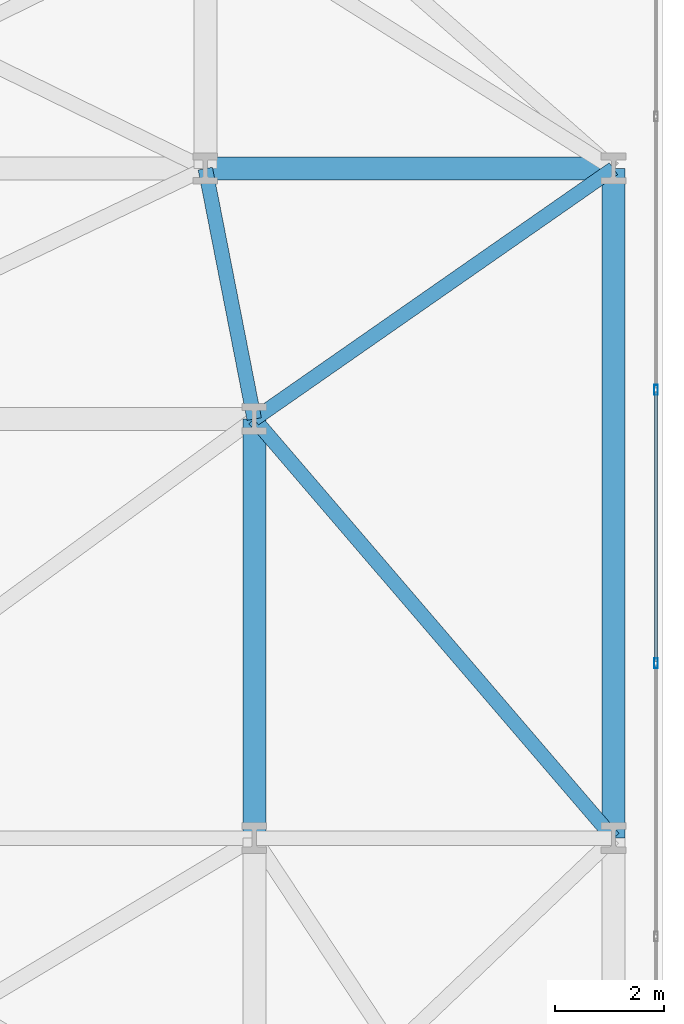
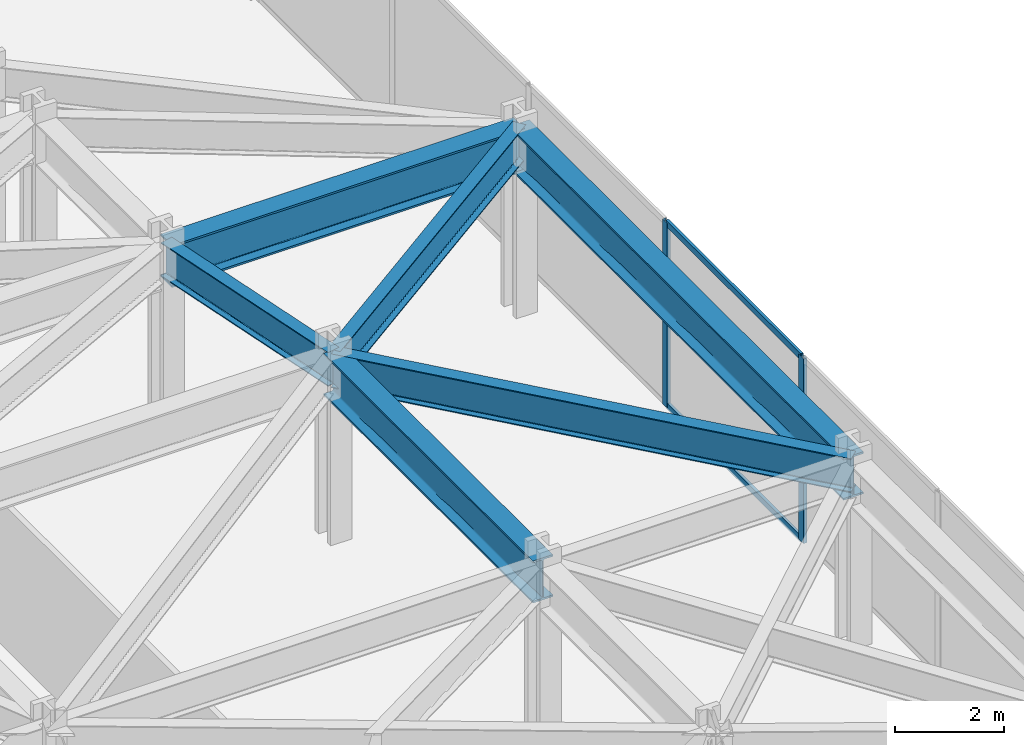
# One storey, part 23 of 30: 6 beams, 4 members, 1 element without a shape of its own.
"""IFC4 building model written with IfcOpenShell, lengths in metres."""

import ifcopenshell
import ifcopenshell.guid

model = None  # the IFC model being written
_history = None  # IfcOwnerHistory: only IFC2X3 demands one
_inside = {}  # id of a spatial element -> (the spatial element, [elements in it])
_under = {}  # id of a project, library or spatial element -> (it, [spatial elements below it])
_declared = {}  # id of a project -> (the project, [libraries it declares])
_typed = {}  # id of a type object -> (the type object, [elements of that type])
_made_of = {}  # id of a material, layer set ... -> (it, [elements and type objects made of it])


def new_model(schema):
    """Start an empty IFC model of exactly this schema.

    Asked for "IFC4X3", IfcOpenShell would pick the latest addendum, in which some entities
    have other attributes; the version numbers below select the first issue.
    IFC2X3 requires an IfcOwnerHistory on every rooted entity: one is made here for all.
    """
    global model, _history
    if schema == "IFC4X3":
        model = ifcopenshell.file(schema_version=(4, 3, 0, 0))
    else:
        model = ifcopenshell.file(schema=schema)
    _inside.clear()
    _under.clear()
    _declared.clear()
    _typed.clear()
    _made_of.clear()
    _history = None
    if model.schema == "IFC2X3":
        org = make("IfcOrganization", Name="unknown")
        user = make(
            "IfcPersonAndOrganization",
            ThePerson=make("IfcPerson", FamilyName="unknown"),
            TheOrganization=org,
        )
        app = make(
            "IfcApplication",
            ApplicationDeveloper=org,
            Version="unknown",
            ApplicationFullName="unknown",
            ApplicationIdentifier="unknown",
        )
        _history = make(
            "IfcOwnerHistory",
            OwningUser=user,
            OwningApplication=app,
            ChangeAction="ADDED",
            CreationDate=0,
        )
    return model


def make(cls, **values):
    """One entity of the class cls with the attributes given. An attribute that is None is left unset."""
    return model.create_entity(
        cls, **{name: value for name, value in values.items() if value is not None}
    )


def rooted(cls, **values):
    """An entity with a GlobalId (a new one), such as an element, a storey or a relation."""
    return make(cls, GlobalId=ifcopenshell.guid.new(), OwnerHistory=_history, **values)


def si_unit(unit_type, name, prefix=None):
    """IfcSIUnit, for example si_unit("LENGTHUNIT", "METRE", prefix="MILLI")."""
    return make("IfcSIUnit", UnitType=unit_type, Prefix=prefix, Name=name)


def assignment(units):
    """IfcUnitAssignment: the units of a project."""
    return None if units is None else make("IfcUnitAssignment", Units=units)


def point(xyz):
    """IfcCartesianPoint."""
    return None if xyz is None else make("IfcCartesianPoint", Coordinates=xyz)


def direction(xyz):
    """IfcDirection."""
    return None if xyz is None else make("IfcDirection", DirectionRatios=xyz)


def frame(location, z_axis=None, x_axis=None):
    """IfcAxis2Placement3D, a coordinate frame: its origin and axes. An axis left out is left unset."""
    return make(
        "IfcAxis2Placement3D",
        Location=point(location),
        Axis=direction(z_axis),
        RefDirection=direction(x_axis),
    )


def frame_2d(location, x_axis=None):
    """IfcAxis2Placement2D, a coordinate frame in the plane: its origin and x axis."""
    return make(
        "IfcAxis2Placement2D", Location=point(location), RefDirection=direction(x_axis)
    )


def origin():
    """The frame at (0, 0, 0) with its axes left unset."""
    return frame((0.0, 0.0, 0.0))


def origin_2d():
    """The frame at (0, 0) in the plane with its x axis left unset."""
    return frame_2d((0.0, 0.0))


def place(relative_to, where):
    """IfcLocalPlacement: puts the frame where relative to a parent placement (None: the world)."""
    return make(
        "IfcLocalPlacement", PlacementRelTo=relative_to, RelativePlacement=where
    )


def context(
    kind, dimensions, precision=None, world=None, true_north=None, identifier=None
):
    """IfcGeometricRepresentationContext, for example the 3D "Model" context."""
    return make(
        "IfcGeometricRepresentationContext",
        ContextIdentifier=identifier,
        ContextType=kind,
        CoordinateSpaceDimension=dimensions,
        Precision=precision,
        WorldCoordinateSystem=world,
        TrueNorth=true_north,
    )


def subcontext(parent, identifier, kind, view, scale=None):
    """IfcGeometricRepresentationSubContext, for example "Body" below "Model"."""
    return make(
        "IfcGeometricRepresentationSubContext",
        ContextIdentifier=identifier,
        ContextType=kind,
        ParentContext=parent,
        TargetScale=scale,
        TargetView=view,
    )


def project(units=None, contexts=None):
    """IfcProject with its units and contexts."""
    return rooted(
        "IfcProject",
        Name="project",
        RepresentationContexts=contexts,
        UnitsInContext=assignment(units),
    )


def spatial(cls, under=None, at=None, **own):
    """A site, building, storey or space (cls), placed at a placement, below another one or the project."""
    s = rooted(cls, ObjectPlacement=at, **own)
    if under is not None:
        _under.setdefault(under.id(), (under, []))[1].append(s)
    return s


def profile(cls, at=None, kind="AREA", **sizes):
    """A parametric profile (cls). Its sizes go by their IFC names, for example OverallWidth=200.0."""
    return make(cls, ProfileType=kind, Position=at, **sizes)


def hollow_rectangle(**sizes):
    """IfcRectangleHollowProfileDef."""
    return profile("IfcRectangleHollowProfileDef", **sizes)


def i_section(**sizes):
    """IfcIShapeProfileDef."""
    return profile("IfcIShapeProfileDef", **sizes)


def extrude(swept, where, along, depth):
    """IfcExtrudedAreaSolid: the profile swept, set in the frame where, extruded along a direction by depth."""
    return make(
        "IfcExtrudedAreaSolid",
        SweptArea=swept,
        Position=where,
        ExtrudedDirection=direction(along),
        Depth=depth,
    )


def shape(context_of_items, identifier, shape_type, items):
    """IfcShapeRepresentation: the items that make up one representation, for example the "Body"."""
    return make(
        "IfcShapeRepresentation",
        ContextOfItems=context_of_items,
        RepresentationIdentifier=identifier,
        RepresentationType=shape_type,
        Items=items,
    )


def material(Name=None, Category=None):
    """IfcMaterial."""
    return make("IfcMaterial", Name=Name, Category=Category)


def layer(
    of_material, thickness, ventilated=None, Name=None, Category=None, Priority=None
):
    """IfcMaterialLayer: one layer of a wall or slab, of a material (None: an air gap)."""
    return make(
        "IfcMaterialLayer",
        Material=of_material,
        LayerThickness=thickness,
        IsVentilated=ventilated,
        Name=Name,
        Category=Category,
        Priority=Priority,
    )


def layer_set(layers, Name=None):
    """IfcMaterialLayerSet."""
    return make("IfcMaterialLayerSet", MaterialLayers=layers, LayerSetName=Name)


def material_profile(
    of_material, cross_section, Name=None, Category=None, Priority=None
):
    """IfcMaterialProfile: a cross section and its material."""
    return make(
        "IfcMaterialProfile",
        Name=Name,
        Material=of_material,
        Profile=cross_section,
        Priority=Priority,
        Category=Category,
    )


def profile_set(profiles, Name=None, composite=None):
    """IfcMaterialProfileSet."""
    return make(
        "IfcMaterialProfileSet",
        Name=Name,
        MaterialProfiles=profiles,
        CompositeProfile=composite,
    )


def made_of(thing, what):
    """Note that an element or type object is made of a material, layer set ...; save() writes the relation."""
    if what is not None:
        _made_of.setdefault(what.id(), (what, []))[1].append(thing)
    return thing


def type_object(cls, material=None, **own):
    """A type object (cls), such as IfcWallType, which elements share."""
    return made_of(rooted(cls, **own), material)


def element(
    cls,
    number,
    at=None,
    inside=None,
    cuts=None,
    type_object=None,
    material=None,
    context=None,
    identifier="Body",
    shape_type=None,
    held_by="IfcProductDefinitionShape",
    body=None,
    shapes=None,
    **own,
):
    """One element of the class cls, such as IfcWall. Its Tag is "e" and its number.

    at: its placement. inside: the storey or other place that contains it. cuts: it is an
    opening in that element (IfcRelVoidsElement). A single representation is given by context,
    identifier, shape_type and body (its items); several are given by shapes. held_by: the class
    of the entity that holds the representations. save() writes the other relations.
    """
    e = rooted(cls, Tag="e%d" % number, ObjectPlacement=at, **own)
    if body is not None:
        shapes = [shape(context, identifier, shape_type, body)]
    if shapes is not None:
        e.Representation = make(held_by, Representations=shapes)
    if inside is not None:
        _inside.setdefault(inside.id(), (inside, []))[1].append(e)
    if cuts is not None:
        rooted(
            "IfcRelVoidsElement", RelatingBuildingElement=cuts, RelatedOpeningElement=e
        )
    if type_object is not None:
        _typed.setdefault(type_object.id(), (type_object, []))[1].append(e)
    return made_of(e, material)


def aggregate(whole, parts):
    """IfcRelAggregates: a whole, such as a stair, and the parts it consists of."""
    return rooted("IfcRelAggregates", RelatingObject=whole, RelatedObjects=parts)


def save(model, path):
    """Write the relations noted so far, then the file.

    IfcRelAggregates (storeys below a building ...), IfcRelContainedInSpatialStructure (elements
    in a storey), IfcRelDefinesByType, IfcRelAssociatesMaterial and IfcRelDeclares: one each for
    every whole, place, type object, material and project.
    """
    for whole, parts in _under.values():
        aggregate(whole, parts)
    for where, things in _inside.values():
        rooted(
            "IfcRelContainedInSpatialStructure",
            RelatedElements=things,
            RelatingStructure=where,
        )
    for kind, things in _typed.values():
        rooted("IfcRelDefinesByType", RelatedObjects=things, RelatingType=kind)
    for what, things in _made_of.values():
        rooted("IfcRelAssociatesMaterial", RelatedObjects=things, RelatingMaterial=what)
    for by, libraries in _declared.values():
        rooted("IfcRelDeclares", RelatingContext=by, RelatedDefinitions=libraries)
    model.write(path)


model = new_model("IFC4")

# Units and contexts
model_context = context("Model", 3, precision=1e-05, world=origin(), true_north=direction((0.0, 1.0)))
body_context = subcontext(model_context, "Body", "Model", "MODEL_VIEW")
ifc_project = project(units=[si_unit("LENGTHUNIT", "METRE"), si_unit("AREAUNIT", "SQUARE_METRE"), si_unit("VOLUMEUNIT", "CUBIC_METRE"), si_unit("PLANEANGLEUNIT", "RADIAN"), si_unit("MASSUNIT", "GRAM", prefix="KILO")], contexts=[model_context])

# Site, building, storey
site_placement = place(None, origin())
site = spatial("IfcSite", under=ifc_project, at=site_placement, CompositionType="ELEMENT")
building_placement = place(site_placement, origin())
building = spatial("IfcBuilding", under=site, at=building_placement, Name="Kravanh Interchange Tower", CompositionType="ELEMENT")
storey_placement = place(building_placement, frame((0.0, 0.0, 19.800048828125)))
storey = spatial("IfcBuildingStorey", under=building, at=storey_placement, Name="L04", CompositionType="ELEMENT", Elevation=19.800048828125)

# Curtain wall, members
ifc_material_1 = material(Name="Anodised Bronze Aluminium", Category="aluminium")
ifc_layer = layer(ifc_material_1, 0.179931640625)
ifc_layer_set = layer_set([ifc_layer], Name="Unitised Curtain Wall System CW-POD Podium Concourse")
curtain_wall_type = type_object("IfcCurtainWallType", Name="Unitised Curtain Wall System CW-POD Podium Concourse", PredefinedType="NOTDEFINED", material=ifc_layer_set)
curtain_wall_placement = place(storey_placement, origin())
curtain_wall = element("IfcCurtainWall", 1, at=curtain_wall_placement, inside=storey, type_object=curtain_wall_type, Name="L04 Unitised Curtain Wall CW-L04-02", PredefinedType="NOTDEFINED")
ifc_material_2 = material(Name="Anodised Bronze Aluminium", Category="aluminium")
ifc_material_profile_1 = material_profile(ifc_material_2, hollow_rectangle(XDim=0.070068359375, YDim=0.179931640625, WallThickness=0.00390625, at=origin_2d()), Name="ALU70X180X4")
ifc_profile_set_1 = profile_set([ifc_material_profile_1], Name="Anodised Bronze Aluminium")
member_type_1 = type_object("IfcMemberType", Name="Curtain Wall Mullion ALU70X180X4 Bronze", PredefinedType="MULLION", material=ifc_profile_set_1)
member_1_placement = place(storey_placement, frame((73.8798828125, 22.735595703125, 0.0), z_axis=(0.0, 0.0, 1.0), x_axis=(1.0, 0.0, 0.0)))
member_1 = element("IfcMember", 2, at=member_1_placement, type_object=member_type_1, Name="CW-POD mullion 4", PredefinedType="MULLION", context=body_context, shape_type="SweptSolid", body=[
    extrude(hollow_rectangle(XDim=0.070068359375, YDim=0.179931640625, WallThickness=0.00390625, at=origin_2d()), origin(), (0.0, 0.0, 1.0), 4.14990234375),
])
member_2_placement = place(storey_placement, frame((73.8798828125, 17.714111328125, 0.0), z_axis=(0.0, 0.0, 1.0), x_axis=(1.0, 0.0, 0.0)))
member_2 = element("IfcMember", 3, at=member_2_placement, type_object=member_type_1, Name="CW-POD mullion 5", PredefinedType="MULLION", context=body_context, shape_type="SweptSolid", body=[
    extrude(hollow_rectangle(XDim=0.070068359375, YDim=0.179931640625, WallThickness=0.00390625, at=origin_2d()), origin(), (0.0, 0.0, 1.0), 4.14990234375),
])
ifc_material_3 = material(Name="Anodised Bronze Aluminium", Category="aluminium")
ifc_material_profile_2 = material_profile(ifc_material_3, hollow_rectangle(XDim=0.06005859375, YDim=0.139892578125, WallThickness=0.00390625, at=origin_2d()), Name="ALU60X140X4")
ifc_profile_set_2 = profile_set([ifc_material_profile_2], Name="Anodised Bronze Aluminium")
member_type_2 = type_object("IfcMemberType", Name="Curtain Wall Transom ALU60X140X4 Bronze", PredefinedType="USERDEFINED", material=ifc_profile_set_2)
member_3_placement = place(storey_placement, frame((73.8798828125, 22.70068359375, 0.030029296875), z_axis=(0.0, -1.0, 0.0), x_axis=(1.0, 0.0, 0.0)))
member_3 = element("IfcMember", 4, at=member_3_placement, type_object=member_type_2, Name="CW-POD transom 4.1", ObjectType="TRANSOM", PredefinedType="USERDEFINED", context=body_context, shape_type="SweptSolid", body=[
    extrude(hollow_rectangle(XDim=0.06005859375, YDim=0.139892578125, WallThickness=0.00390625, at=origin_2d()), origin(), (0.0, 0.0, 1.0), 4.95166015625),
])
member_4_placement = place(storey_placement, frame((73.8798828125, 22.70068359375, 4.119873046875), z_axis=(0.0, -1.0, 0.0), x_axis=(1.0, 0.0, 0.0)))
member_4 = element("IfcMember", 5, at=member_4_placement, type_object=member_type_2, Name="CW-POD transom 4.2", ObjectType="TRANSOM", PredefinedType="USERDEFINED", context=body_context, shape_type="SweptSolid", body=[
    extrude(hollow_rectangle(XDim=0.06005859375, YDim=0.139892578125, WallThickness=0.00390625, at=origin_2d()), origin(), (0.0, 0.0, 1.0), 4.95166015625),
])
aggregate(curtain_wall, [member_1, member_2, member_3, member_4])

# Beams
ifc_material_4 = material(Name="Structural Steel S450", Category="steel")
ifc_material_profile_3 = material_profile(ifc_material_4, i_section(OverallWidth=0.423095703125, OverallDepth=0.947998046875, WebThickness=0.02392578125, FlangeThickness=0.042724609375, FilletRadius=0.028076171875, at=origin_2d()), Name="W36X302")
ifc_profile_set_3 = profile_set([ifc_material_profile_3], Name="Structural Steel S450")
beam_type_1 = type_object("IfcBeamType", Name="Floor Beam W36X302 Structural Steel S450", PredefinedType="BEAM", material=ifc_profile_set_3)
beam_1_placement = place(storey_placement, frame((66.5, 14.5, 3.676025390625), z_axis=(0.0, 1.0, 0.0), x_axis=(-1.0, 0.0, 0.0)))
element("IfcBeam", 6, at=beam_1_placement, inside=storey, type_object=beam_type_1, Name="L04 Primary Floor Girder 54", PredefinedType="BEAM", context=body_context, shape_type="SweptSolid", body=[
    extrude(i_section(OverallWidth=0.423095703125, OverallDepth=0.947998046875, WebThickness=0.02392578125, FlangeThickness=0.042724609375, FilletRadius=0.028076171875, at=origin_2d()), origin(), (0.0, 0.0, 1.0), 7.699951171875),
])
beam_2_placement = place(storey_placement, frame((65.60009765625, 26.800048828125, 3.676025390625), z_axis=(1.0, 0.0, 0.0), x_axis=(0.0, 1.0, 0.0)))
element("IfcBeam", 7, at=beam_2_placement, inside=storey, type_object=beam_type_1, Name="L04 Primary Floor Girder 102", PredefinedType="BEAM", context=body_context, shape_type="SweptSolid", body=[
    extrude(i_section(OverallWidth=0.423095703125, OverallDepth=0.947998046875, WebThickness=0.02392578125, FlangeThickness=0.042724609375, FilletRadius=0.028076171875, at=origin_2d()), origin(), (0.0, 0.0, 1.0), 7.5),
])
beam_3_placement = place(storey_placement, frame((73.10009765625, 14.5, 3.676025390625), z_axis=(0.0, 1.0, 0.0), x_axis=(-1.0, 0.0, 0.0)))
element("IfcBeam", 8, at=beam_3_placement, inside=storey, type_object=beam_type_1, Name="L04 Primary Floor Girder 128", PredefinedType="BEAM", context=body_context, shape_type="SweptSolid", body=[
    extrude(i_section(OverallWidth=0.423095703125, OverallDepth=0.947998046875, WebThickness=0.02392578125, FlangeThickness=0.042724609375, FilletRadius=0.028076171875, at=origin_2d()), origin(), (0.0, 0.0, 1.0), 12.300048828125),
])
ifc_material_5 = material(Name="Structural Steel S355", Category="steel")
ifc_material_profile_4 = material_profile(ifc_material_5, i_section(OverallWidth=0.26708984375, OverallDepth=0.761962890625, WebThickness=0.014404296875, FlangeThickness=0.021484375, FilletRadius=0.02490234375, at=origin_2d()), Name="W30X116")
ifc_profile_set_4 = profile_set([ifc_material_profile_4], Name="Structural Steel S355")
beam_type_2 = type_object("IfcBeamType", Name="Floor Spandrel W30X116 Structural Steel S355", PredefinedType="SPANDREL", material=ifc_profile_set_4)
beam_4_placement = place(storey_placement, frame((66.5, 22.199951171875, 3.76904296875), z_axis=(-0.191987614224, 0.981397348674, 0.0), x_axis=(-0.981397348674, -0.191987614224, 0.0)))
element("IfcBeam", 9, at=beam_4_placement, inside=storey, type_object=beam_type_2, Name="L04 Perimeter Spandrel 69", PredefinedType="SPANDREL", context=body_context, shape_type="SweptSolid", body=[
    extrude(i_section(OverallWidth=0.26708984375, OverallDepth=0.761962890625, WebThickness=0.014404296875, FlangeThickness=0.021484375, FilletRadius=0.02490234375, at=origin_2d()), origin(), (0.0, 0.0, 1.0), 4.687255859375),
])
beam_5_placement = place(storey_placement, frame((66.5, 22.199951171875, 3.76904296875), z_axis=(0.820396441235, 0.571795137447, 0.0), x_axis=(-0.571795137447, 0.820396441235, 0.0)))
element("IfcBeam", 10, at=beam_5_placement, inside=storey, type_object=beam_type_2, Name="L04 Perimeter Spandrel 70", PredefinedType="SPANDREL", context=body_context, shape_type="SweptSolid", body=[
    extrude(i_section(OverallWidth=0.26708984375, OverallDepth=0.761962890625, WebThickness=0.014404296875, FlangeThickness=0.021484375, FilletRadius=0.02490234375, at=origin_2d()), origin(), (0.0, 0.0, 1.0), 8.044921875),
])
beam_6_placement = place(storey_placement, frame((66.5, 22.199951171875, 3.76904296875), z_axis=(0.65079930347, -0.759249805139, 0.0), x_axis=(0.759249805139, 0.65079930347, 0.0)))
element("IfcBeam", 11, at=beam_6_placement, inside=storey, type_object=beam_type_2, Name="L04 Perimeter Spandrel 72", PredefinedType="SPANDREL", context=body_context, shape_type="SweptSolid", body=[
    extrude(i_section(OverallWidth=0.26708984375, OverallDepth=0.761962890625, WebThickness=0.014404296875, FlangeThickness=0.021484375, FilletRadius=0.02490234375, at=origin_2d()), origin(), (0.0, 0.0, 1.0), 10.1416015625),
])

save(model, "model.ifc")
